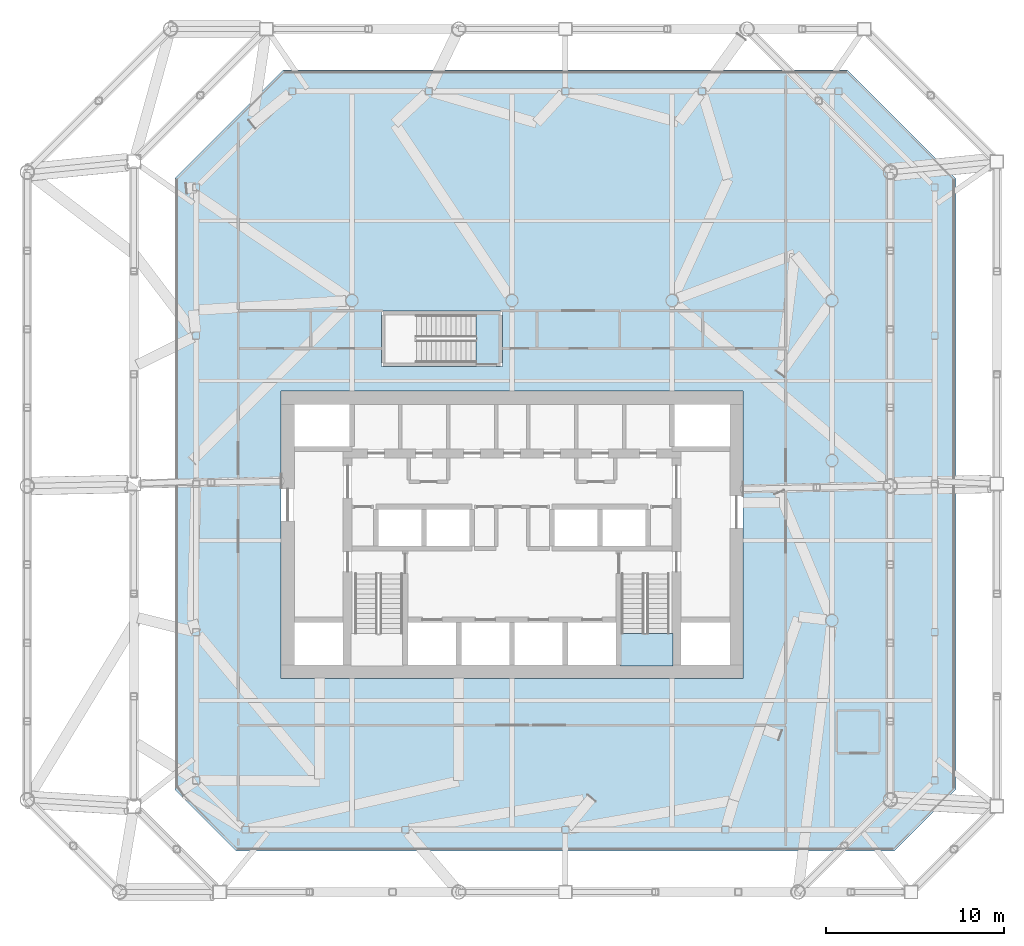
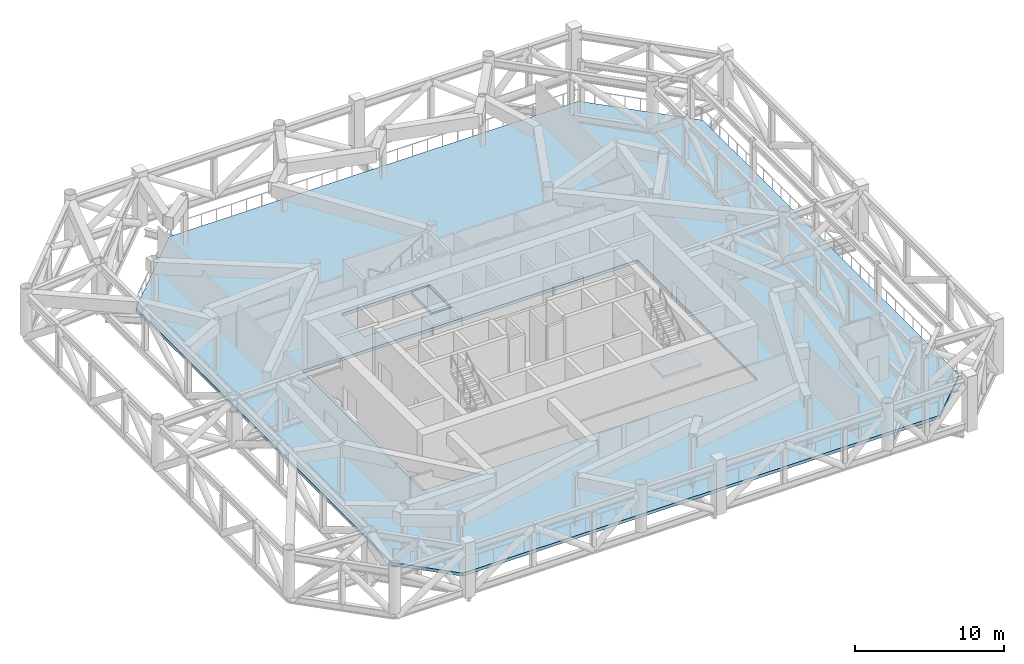
# One storey, part 10 of 21: 3 slabs, 1 element without a shape of its own.
"""IFC4 building model written with IfcOpenShell, lengths in metres."""

import ifcopenshell
import ifcopenshell.guid

model = None  # the IFC model being written
_history = None  # IfcOwnerHistory: only IFC2X3 demands one
_inside = {}  # id of a spatial element -> (the spatial element, [elements in it])
_under = {}  # id of a project, library or spatial element -> (it, [spatial elements below it])
_declared = {}  # id of a project -> (the project, [libraries it declares])
_typed = {}  # id of a type object -> (the type object, [elements of that type])
_made_of = {}  # id of a material, layer set ... -> (it, [elements and type objects made of it])


def new_model(schema):
    """Start an empty IFC model of exactly this schema.

    Asked for "IFC4X3", IfcOpenShell would pick the latest addendum, in which some entities
    have other attributes; the version numbers below select the first issue.
    IFC2X3 requires an IfcOwnerHistory on every rooted entity: one is made here for all.
    """
    global model, _history
    if schema == "IFC4X3":
        model = ifcopenshell.file(schema_version=(4, 3, 0, 0))
    else:
        model = ifcopenshell.file(schema=schema)
    _inside.clear()
    _under.clear()
    _declared.clear()
    _typed.clear()
    _made_of.clear()
    _history = None
    if model.schema == "IFC2X3":
        org = make("IfcOrganization", Name="unknown")
        user = make(
            "IfcPersonAndOrganization",
            ThePerson=make("IfcPerson", FamilyName="unknown"),
            TheOrganization=org,
        )
        app = make(
            "IfcApplication",
            ApplicationDeveloper=org,
            Version="unknown",
            ApplicationFullName="unknown",
            ApplicationIdentifier="unknown",
        )
        _history = make(
            "IfcOwnerHistory",
            OwningUser=user,
            OwningApplication=app,
            ChangeAction="ADDED",
            CreationDate=0,
        )
    return model


def make(cls, **values):
    """One entity of the class cls with the attributes given. An attribute that is None is left unset."""
    return model.create_entity(
        cls, **{name: value for name, value in values.items() if value is not None}
    )


def rooted(cls, **values):
    """An entity with a GlobalId (a new one), such as an element, a storey or a relation."""
    return make(cls, GlobalId=ifcopenshell.guid.new(), OwnerHistory=_history, **values)


def si_unit(unit_type, name, prefix=None):
    """IfcSIUnit, for example si_unit("LENGTHUNIT", "METRE", prefix="MILLI")."""
    return make("IfcSIUnit", UnitType=unit_type, Prefix=prefix, Name=name)


def assignment(units):
    """IfcUnitAssignment: the units of a project."""
    return None if units is None else make("IfcUnitAssignment", Units=units)


def point(xyz):
    """IfcCartesianPoint."""
    return None if xyz is None else make("IfcCartesianPoint", Coordinates=xyz)


def direction(xyz):
    """IfcDirection."""
    return None if xyz is None else make("IfcDirection", DirectionRatios=xyz)


def frame(location, z_axis=None, x_axis=None):
    """IfcAxis2Placement3D, a coordinate frame: its origin and axes. An axis left out is left unset."""
    return make(
        "IfcAxis2Placement3D",
        Location=point(location),
        Axis=direction(z_axis),
        RefDirection=direction(x_axis),
    )


def origin():
    """The frame at (0, 0, 0) with its axes left unset."""
    return frame((0.0, 0.0, 0.0))


def place(relative_to, where):
    """IfcLocalPlacement: puts the frame where relative to a parent placement (None: the world)."""
    return make(
        "IfcLocalPlacement", PlacementRelTo=relative_to, RelativePlacement=where
    )


def context(
    kind, dimensions, precision=None, world=None, true_north=None, identifier=None
):
    """IfcGeometricRepresentationContext, for example the 3D "Model" context."""
    return make(
        "IfcGeometricRepresentationContext",
        ContextIdentifier=identifier,
        ContextType=kind,
        CoordinateSpaceDimension=dimensions,
        Precision=precision,
        WorldCoordinateSystem=world,
        TrueNorth=true_north,
    )


def subcontext(parent, identifier, kind, view, scale=None):
    """IfcGeometricRepresentationSubContext, for example "Body" below "Model"."""
    return make(
        "IfcGeometricRepresentationSubContext",
        ContextIdentifier=identifier,
        ContextType=kind,
        ParentContext=parent,
        TargetScale=scale,
        TargetView=view,
    )


def project(units=None, contexts=None):
    """IfcProject with its units and contexts."""
    return rooted(
        "IfcProject",
        Name="project",
        RepresentationContexts=contexts,
        UnitsInContext=assignment(units),
    )


def spatial(cls, under=None, at=None, **own):
    """A site, building, storey or space (cls), placed at a placement, below another one or the project."""
    s = rooted(cls, ObjectPlacement=at, **own)
    if under is not None:
        _under.setdefault(under.id(), (under, []))[1].append(s)
    return s


def polyline(points):
    """IfcPolyline through the points."""
    return make("IfcPolyline", Points=[point(p) for p in points])


def outline(outer, holes=None, kind="AREA"):
    """IfcArbitraryClosedProfileDef: a profile drawn as a closed curve; with holes, ...WithVoids."""
    if holes is None:
        return make("IfcArbitraryClosedProfileDef", ProfileType=kind, OuterCurve=outer)
    return make(
        "IfcArbitraryProfileDefWithVoids",
        ProfileType=kind,
        OuterCurve=outer,
        InnerCurves=holes,
    )


def extrude(swept, where, along, depth):
    """IfcExtrudedAreaSolid: the profile swept, set in the frame where, extruded along a direction by depth."""
    return make(
        "IfcExtrudedAreaSolid",
        SweptArea=swept,
        Position=where,
        ExtrudedDirection=direction(along),
        Depth=depth,
    )


def shape(context_of_items, identifier, shape_type, items):
    """IfcShapeRepresentation: the items that make up one representation, for example the "Body"."""
    return make(
        "IfcShapeRepresentation",
        ContextOfItems=context_of_items,
        RepresentationIdentifier=identifier,
        RepresentationType=shape_type,
        Items=items,
    )


def material(Name=None, Category=None):
    """IfcMaterial."""
    return make("IfcMaterial", Name=Name, Category=Category)


def layer(
    of_material, thickness, ventilated=None, Name=None, Category=None, Priority=None
):
    """IfcMaterialLayer: one layer of a wall or slab, of a material (None: an air gap)."""
    return make(
        "IfcMaterialLayer",
        Material=of_material,
        LayerThickness=thickness,
        IsVentilated=ventilated,
        Name=Name,
        Category=Category,
        Priority=Priority,
    )


def layer_set(layers, Name=None):
    """IfcMaterialLayerSet."""
    return make("IfcMaterialLayerSet", MaterialLayers=layers, LayerSetName=Name)


def made_of(thing, what):
    """Note that an element or type object is made of a material, layer set ...; save() writes the relation."""
    if what is not None:
        _made_of.setdefault(what.id(), (what, []))[1].append(thing)
    return thing


def type_object(cls, material=None, **own):
    """A type object (cls), such as IfcWallType, which elements share."""
    return made_of(rooted(cls, **own), material)


def element(
    cls,
    number,
    at=None,
    inside=None,
    cuts=None,
    type_object=None,
    material=None,
    context=None,
    identifier="Body",
    shape_type=None,
    held_by="IfcProductDefinitionShape",
    body=None,
    shapes=None,
    **own,
):
    """One element of the class cls, such as IfcWall. Its Tag is "e" and its number.

    at: its placement. inside: the storey or other place that contains it. cuts: it is an
    opening in that element (IfcRelVoidsElement). A single representation is given by context,
    identifier, shape_type and body (its items); several are given by shapes. held_by: the class
    of the entity that holds the representations. save() writes the other relations.
    """
    e = rooted(cls, Tag="e%d" % number, ObjectPlacement=at, **own)
    if body is not None:
        shapes = [shape(context, identifier, shape_type, body)]
    if shapes is not None:
        e.Representation = make(held_by, Representations=shapes)
    if inside is not None:
        _inside.setdefault(inside.id(), (inside, []))[1].append(e)
    if cuts is not None:
        rooted(
            "IfcRelVoidsElement", RelatingBuildingElement=cuts, RelatedOpeningElement=e
        )
    if type_object is not None:
        _typed.setdefault(type_object.id(), (type_object, []))[1].append(e)
    return made_of(e, material)


def aggregate(whole, parts):
    """IfcRelAggregates: a whole, such as a stair, and the parts it consists of."""
    return rooted("IfcRelAggregates", RelatingObject=whole, RelatedObjects=parts)


def save(model, path):
    """Write the relations noted so far, then the file.

    IfcRelAggregates (storeys below a building ...), IfcRelContainedInSpatialStructure (elements
    in a storey), IfcRelDefinesByType, IfcRelAssociatesMaterial and IfcRelDeclares: one each for
    every whole, place, type object, material and project.
    """
    for whole, parts in _under.values():
        aggregate(whole, parts)
    for where, things in _inside.values():
        rooted(
            "IfcRelContainedInSpatialStructure",
            RelatedElements=things,
            RelatingStructure=where,
        )
    for kind, things in _typed.values():
        rooted("IfcRelDefinesByType", RelatedObjects=things, RelatingType=kind)
    for what, things in _made_of.values():
        rooted("IfcRelAssociatesMaterial", RelatedObjects=things, RelatingMaterial=what)
    for by, libraries in _declared.values():
        rooted("IfcRelDeclares", RelatingContext=by, RelatedDefinitions=libraries)
    model.write(path)


model = new_model("IFC4")

# Units and contexts
model_context = context("Model", 3, precision=1e-05, world=origin(), true_north=direction((0.0, 1.0)))
body_context = subcontext(model_context, "Body", "Model", "MODEL_VIEW")
ifc_project = project(units=[si_unit("LENGTHUNIT", "METRE"), si_unit("AREAUNIT", "SQUARE_METRE"), si_unit("VOLUMEUNIT", "CUBIC_METRE"), si_unit("PLANEANGLEUNIT", "RADIAN"), si_unit("MASSUNIT", "GRAM", prefix="KILO")], contexts=[model_context])

# Site, building, storey
site_placement = place(None, origin())
site = spatial("IfcSite", under=ifc_project, at=site_placement, CompositionType="ELEMENT")
building_placement = place(site_placement, origin())
building = spatial("IfcBuilding", under=site, at=building_placement, Name="Tskaro Facet Tower", CompositionType="ELEMENT")
storey_placement = place(building_placement, frame((0.0, 0.0, 167.699951171875)))
storey = spatial("IfcBuildingStorey", under=building, at=storey_placement, Name="L41", CompositionType="ELEMENT", Elevation=167.699951171875)

# Stair, slab
ifc_material_1 = material(Name="Concrete C40/50", Category="concrete")
stair_type = type_object("IfcStairType", Name="ST-TWR", PredefinedType="HALF_TURN_STAIR", material=ifc_material_1)
stair_placement = place(storey_placement, origin())
stair = element("IfcStair", 1, at=stair_placement, inside=storey, type_object=stair_type, Name="L41 Exit stair 2", PredefinedType="HALF_TURN_STAIR")
ifc_layer_1 = layer(ifc_material_1, 0.199951171875, Name="Concrete C40/50")
ifc_layer_set_1 = layer_set([ifc_layer_1], Name="Concrete C40/50")
slab_type_1 = type_object("IfcSlabType", Name="SL-LANDING", PredefinedType="LANDING", material=ifc_layer_set_1)
slab_1_placement = place(storey_placement, frame((0.0, 0.0, 2.050048828125)))
slab_1 = element("IfcSlab", 2, at=slab_1_placement, type_object=slab_type_1, Name="ST-2 landing 1", PredefinedType="LANDING", context=body_context, shape_type="SweptSolid", body=[
    extrude(outline(polyline([(6.10009765625, -11.550048828125), (9.050048828125, -11.550048828125), (9.050048828125, -9.735107421875), (6.10009765625, -9.735107421875), (6.10009765625, -11.550048828125)])), origin(), (0.0, 0.0, 1.0), 0.199951171875),
])
aggregate(stair, [slab_1])

# Slabs
ifc_material_2 = material(Name="Concrete C60/75", Category="concrete")
ifc_layer_2 = layer(ifc_material_2, 0.300048828125, Name="Concrete C60/75")
ifc_layer_set_2 = layer_set([ifc_layer_2], Name="Concrete C60/75")
slab_type_2 = type_object("IfcSlabType", Name="SLAB-CORE", PredefinedType="FLOOR", material=ifc_layer_set_2)
slab_2_placement = place(storey_placement, frame((0.0, 0.0, -0.300048828125)))
element("IfcSlab", 3, at=slab_2_placement, inside=storey, type_object=slab_type_2, Name="Stair 3 floor landing 1", PredefinedType="FLOOR", context=body_context, shape_type="SweptSolid", body=[
    extrude(outline(polyline([(-2.02490234375, 5.449951171875), (-0.699951171875, 5.449951171875), (-0.699951171875, 8.25), (-2.02490234375, 8.25), (-2.02490234375, 5.449951171875)])), origin(), (0.0, 0.0, 1.0), 0.300048828125),
])
ifc_material_3 = material(Name="Concrete C35/45", Category="concrete")
ifc_layer_3 = layer(ifc_material_3, 0.25, Name="Concrete C35/45")
ifc_layer_set_3 = layer_set([ifc_layer_3], Name="Concrete C35/45")
slab_type_3 = type_object("IfcSlabType", Name="Transition floor slab", PredefinedType="FLOOR", material=ifc_layer_set_3)
slab_3_placement = place(storey_placement, frame((0.0, 0.0, -0.25)))
element("IfcSlab", 4, at=slab_3_placement, inside=storey, type_object=slab_type_3, Name="Floor slab FS4 L41", PredefinedType="FLOOR", context=body_context, shape_type="SweptSolid", body=[
    extrude(outline(polyline([(-15.49609375, -21.97412109375), (21.49609375, -21.97412109375), (24.97412109375, -18.49609375), (24.97412109375, 15.864990234375), (18.864990234375, 21.97412109375), (-12.864990234375, 21.97412109375), (-18.97412109375, 15.864990234375), (-18.97412109375, -18.49609375), (-15.49609375, -21.97412109375)]), holes=[polyline([(-13.0, -12.25), (13.0, -12.25), (13.0, 3.89990234375), (-13.0, 3.89990234375), (-13.0, -12.25)]), polyline([(-7.35009765625, 5.300048828125), (-0.550048828125, 5.300048828125), (-0.550048828125, 8.39990234375), (-7.35009765625, 8.39990234375), (-7.35009765625, 5.300048828125)])]), origin(), (0.0, 0.0, 1.0), 0.25),
])

save(model, "model.ifc")
